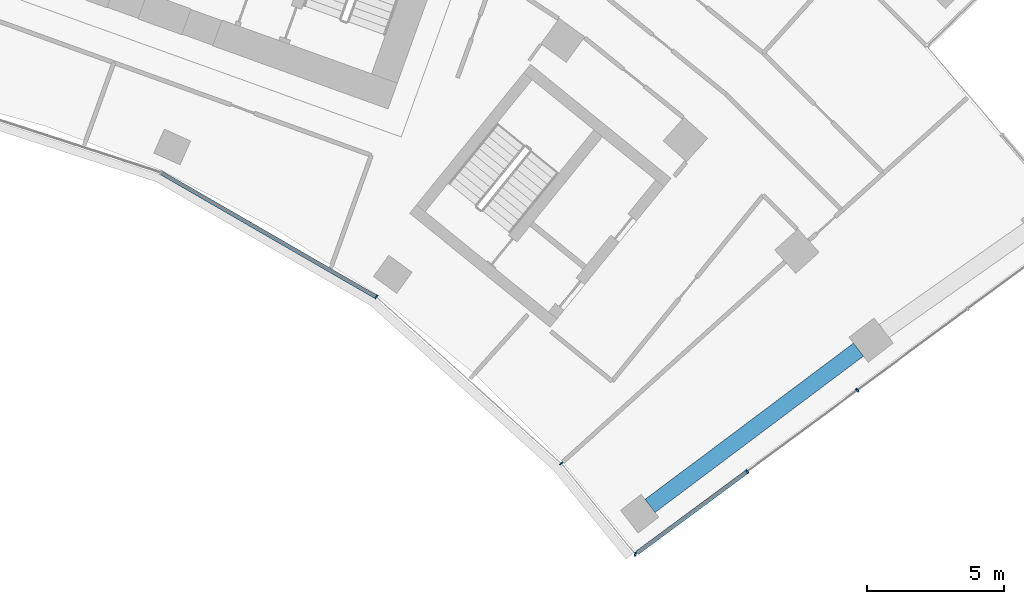
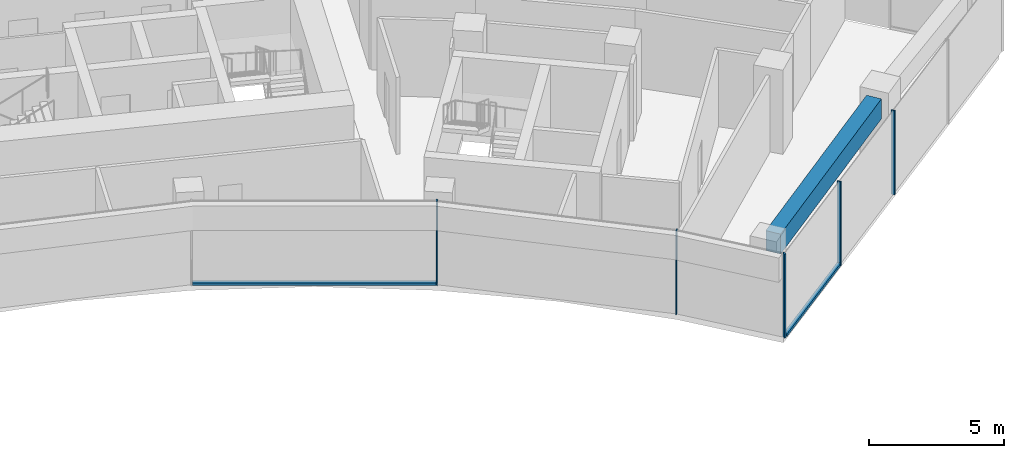
# One storey, part 7 of 18: 7 members, 1 beam, 2 elements without a shape of their own.
"""IFC4 building model written with IfcOpenShell, lengths in metres."""

import ifcopenshell
import ifcopenshell.guid

model = None  # the IFC model being written
_history = None  # IfcOwnerHistory: only IFC2X3 demands one
_inside = {}  # id of a spatial element -> (the spatial element, [elements in it])
_under = {}  # id of a project, library or spatial element -> (it, [spatial elements below it])
_declared = {}  # id of a project -> (the project, [libraries it declares])
_typed = {}  # id of a type object -> (the type object, [elements of that type])
_made_of = {}  # id of a material, layer set ... -> (it, [elements and type objects made of it])


def new_model(schema):
    """Start an empty IFC model of exactly this schema.

    Asked for "IFC4X3", IfcOpenShell would pick the latest addendum, in which some entities
    have other attributes; the version numbers below select the first issue.
    IFC2X3 requires an IfcOwnerHistory on every rooted entity: one is made here for all.
    """
    global model, _history
    if schema == "IFC4X3":
        model = ifcopenshell.file(schema_version=(4, 3, 0, 0))
    else:
        model = ifcopenshell.file(schema=schema)
    _inside.clear()
    _under.clear()
    _declared.clear()
    _typed.clear()
    _made_of.clear()
    _history = None
    if model.schema == "IFC2X3":
        org = make("IfcOrganization", Name="unknown")
        user = make(
            "IfcPersonAndOrganization",
            ThePerson=make("IfcPerson", FamilyName="unknown"),
            TheOrganization=org,
        )
        app = make(
            "IfcApplication",
            ApplicationDeveloper=org,
            Version="unknown",
            ApplicationFullName="unknown",
            ApplicationIdentifier="unknown",
        )
        _history = make(
            "IfcOwnerHistory",
            OwningUser=user,
            OwningApplication=app,
            ChangeAction="ADDED",
            CreationDate=0,
        )
    return model


def make(cls, **values):
    """One entity of the class cls with the attributes given. An attribute that is None is left unset."""
    return model.create_entity(
        cls, **{name: value for name, value in values.items() if value is not None}
    )


def rooted(cls, **values):
    """An entity with a GlobalId (a new one), such as an element, a storey or a relation."""
    return make(cls, GlobalId=ifcopenshell.guid.new(), OwnerHistory=_history, **values)


def si_unit(unit_type, name, prefix=None):
    """IfcSIUnit, for example si_unit("LENGTHUNIT", "METRE", prefix="MILLI")."""
    return make("IfcSIUnit", UnitType=unit_type, Prefix=prefix, Name=name)


def assignment(units):
    """IfcUnitAssignment: the units of a project."""
    return None if units is None else make("IfcUnitAssignment", Units=units)


def point(xyz):
    """IfcCartesianPoint."""
    return None if xyz is None else make("IfcCartesianPoint", Coordinates=xyz)


def direction(xyz):
    """IfcDirection."""
    return None if xyz is None else make("IfcDirection", DirectionRatios=xyz)


def frame(location, z_axis=None, x_axis=None):
    """IfcAxis2Placement3D, a coordinate frame: its origin and axes. An axis left out is left unset."""
    return make(
        "IfcAxis2Placement3D",
        Location=point(location),
        Axis=direction(z_axis),
        RefDirection=direction(x_axis),
    )


def frame_2d(location, x_axis=None):
    """IfcAxis2Placement2D, a coordinate frame in the plane: its origin and x axis."""
    return make(
        "IfcAxis2Placement2D", Location=point(location), RefDirection=direction(x_axis)
    )


def origin():
    """The frame at (0, 0, 0) with its axes left unset."""
    return frame((0.0, 0.0, 0.0))


def origin_2d():
    """The frame at (0, 0) in the plane with its x axis left unset."""
    return frame_2d((0.0, 0.0))


def place(relative_to, where):
    """IfcLocalPlacement: puts the frame where relative to a parent placement (None: the world)."""
    return make(
        "IfcLocalPlacement", PlacementRelTo=relative_to, RelativePlacement=where
    )


def context(
    kind, dimensions, precision=None, world=None, true_north=None, identifier=None
):
    """IfcGeometricRepresentationContext, for example the 3D "Model" context."""
    return make(
        "IfcGeometricRepresentationContext",
        ContextIdentifier=identifier,
        ContextType=kind,
        CoordinateSpaceDimension=dimensions,
        Precision=precision,
        WorldCoordinateSystem=world,
        TrueNorth=true_north,
    )


def subcontext(parent, identifier, kind, view, scale=None):
    """IfcGeometricRepresentationSubContext, for example "Body" below "Model"."""
    return make(
        "IfcGeometricRepresentationSubContext",
        ContextIdentifier=identifier,
        ContextType=kind,
        ParentContext=parent,
        TargetScale=scale,
        TargetView=view,
    )


def project(units=None, contexts=None):
    """IfcProject with its units and contexts."""
    return rooted(
        "IfcProject",
        Name="project",
        RepresentationContexts=contexts,
        UnitsInContext=assignment(units),
    )


def spatial(cls, under=None, at=None, **own):
    """A site, building, storey or space (cls), placed at a placement, below another one or the project."""
    s = rooted(cls, ObjectPlacement=at, **own)
    if under is not None:
        _under.setdefault(under.id(), (under, []))[1].append(s)
    return s


def profile(cls, at=None, kind="AREA", **sizes):
    """A parametric profile (cls). Its sizes go by their IFC names, for example OverallWidth=200.0."""
    return make(cls, ProfileType=kind, Position=at, **sizes)


def rectangle(**sizes):
    """IfcRectangleProfileDef."""
    return profile("IfcRectangleProfileDef", **sizes)


def extrude(swept, where, along, depth):
    """IfcExtrudedAreaSolid: the profile swept, set in the frame where, extruded along a direction by depth."""
    return make(
        "IfcExtrudedAreaSolid",
        SweptArea=swept,
        Position=where,
        ExtrudedDirection=direction(along),
        Depth=depth,
    )


def shape(context_of_items, identifier, shape_type, items):
    """IfcShapeRepresentation: the items that make up one representation, for example the "Body"."""
    return make(
        "IfcShapeRepresentation",
        ContextOfItems=context_of_items,
        RepresentationIdentifier=identifier,
        RepresentationType=shape_type,
        Items=items,
    )


def material(Name=None, Category=None):
    """IfcMaterial."""
    return make("IfcMaterial", Name=Name, Category=Category)


def layer(
    of_material, thickness, ventilated=None, Name=None, Category=None, Priority=None
):
    """IfcMaterialLayer: one layer of a wall or slab, of a material (None: an air gap)."""
    return make(
        "IfcMaterialLayer",
        Material=of_material,
        LayerThickness=thickness,
        IsVentilated=ventilated,
        Name=Name,
        Category=Category,
        Priority=Priority,
    )


def layer_set(layers, Name=None):
    """IfcMaterialLayerSet."""
    return make("IfcMaterialLayerSet", MaterialLayers=layers, LayerSetName=Name)


def material_profile(
    of_material, cross_section, Name=None, Category=None, Priority=None
):
    """IfcMaterialProfile: a cross section and its material."""
    return make(
        "IfcMaterialProfile",
        Name=Name,
        Material=of_material,
        Profile=cross_section,
        Priority=Priority,
        Category=Category,
    )


def profile_set(profiles, Name=None, composite=None):
    """IfcMaterialProfileSet."""
    return make(
        "IfcMaterialProfileSet",
        Name=Name,
        MaterialProfiles=profiles,
        CompositeProfile=composite,
    )


def made_of(thing, what):
    """Note that an element or type object is made of a material, layer set ...; save() writes the relation."""
    if what is not None:
        _made_of.setdefault(what.id(), (what, []))[1].append(thing)
    return thing


def type_object(cls, material=None, **own):
    """A type object (cls), such as IfcWallType, which elements share."""
    return made_of(rooted(cls, **own), material)


def element(
    cls,
    number,
    at=None,
    inside=None,
    cuts=None,
    type_object=None,
    material=None,
    context=None,
    identifier="Body",
    shape_type=None,
    held_by="IfcProductDefinitionShape",
    body=None,
    shapes=None,
    **own,
):
    """One element of the class cls, such as IfcWall. Its Tag is "e" and its number.

    at: its placement. inside: the storey or other place that contains it. cuts: it is an
    opening in that element (IfcRelVoidsElement). A single representation is given by context,
    identifier, shape_type and body (its items); several are given by shapes. held_by: the class
    of the entity that holds the representations. save() writes the other relations.
    """
    e = rooted(cls, Tag="e%d" % number, ObjectPlacement=at, **own)
    if body is not None:
        shapes = [shape(context, identifier, shape_type, body)]
    if shapes is not None:
        e.Representation = make(held_by, Representations=shapes)
    if inside is not None:
        _inside.setdefault(inside.id(), (inside, []))[1].append(e)
    if cuts is not None:
        rooted(
            "IfcRelVoidsElement", RelatingBuildingElement=cuts, RelatedOpeningElement=e
        )
    if type_object is not None:
        _typed.setdefault(type_object.id(), (type_object, []))[1].append(e)
    return made_of(e, material)


def aggregate(whole, parts):
    """IfcRelAggregates: a whole, such as a stair, and the parts it consists of."""
    return rooted("IfcRelAggregates", RelatingObject=whole, RelatedObjects=parts)


def save(model, path):
    """Write the relations noted so far, then the file.

    IfcRelAggregates (storeys below a building ...), IfcRelContainedInSpatialStructure (elements
    in a storey), IfcRelDefinesByType, IfcRelAssociatesMaterial and IfcRelDeclares: one each for
    every whole, place, type object, material and project.
    """
    for whole, parts in _under.values():
        aggregate(whole, parts)
    for where, things in _inside.values():
        rooted(
            "IfcRelContainedInSpatialStructure",
            RelatedElements=things,
            RelatingStructure=where,
        )
    for kind, things in _typed.values():
        rooted("IfcRelDefinesByType", RelatedObjects=things, RelatingType=kind)
    for what, things in _made_of.values():
        rooted("IfcRelAssociatesMaterial", RelatedObjects=things, RelatingMaterial=what)
    for by, libraries in _declared.values():
        rooted("IfcRelDeclares", RelatingContext=by, RelatedDefinitions=libraries)
    model.write(path)


model = new_model("IFC4")

# Units and contexts
model_context = context("Model", 3, precision=1e-05, world=origin(), true_north=direction((0.0, 1.0)))
body_context = subcontext(model_context, "Body", "Model", "MODEL_VIEW")
ifc_project = project(units=[si_unit("LENGTHUNIT", "METRE"), si_unit("AREAUNIT", "SQUARE_METRE"), si_unit("VOLUMEUNIT", "CUBIC_METRE"), si_unit("PLANEANGLEUNIT", "RADIAN"), si_unit("MASSUNIT", "GRAM", prefix="KILO")], contexts=[model_context])

# Site, building, storey
site_placement = place(None, origin())
site = spatial("IfcSite", under=ifc_project, at=site_placement, CompositionType="ELEMENT")
building_placement = place(site_placement, origin())
building = spatial("IfcBuilding", under=site, at=building_placement, Name="Stone Belt Terrace Tower", CompositionType="ELEMENT")
storey_placement = place(building_placement, frame((0.0, 0.0, 220.0)))
storey = spatial("IfcBuildingStorey", under=building, at=storey_placement, Name="L53", CompositionType="ELEMENT", Elevation=220.0)

# Curtain wall, members
ifc_material_1 = material(Name="Aluminium 6063-T6 anodised frame", Category="aluminium")
ifc_layer_1 = layer(ifc_material_1, 0.14990234375)
ifc_layer_set_1 = layer_set([ifc_layer_1], Name="CW-B unitised concave-face curtain wall")
curtain_wall_type_1 = type_object("IfcCurtainWallType", Name="CW-B unitised concave-face curtain wall", PredefinedType="NOTDEFINED", material=ifc_layer_set_1)
curtain_wall_1_placement = place(storey_placement, origin())
curtain_wall_1 = element("IfcCurtainWall", 1, at=curtain_wall_1_placement, inside=storey, type_object=curtain_wall_type_1, Name="CW-B concave face L53", PredefinedType="NOTDEFINED")
ifc_material_profile_1 = material_profile(ifc_material_1, rectangle(XDim=0.14990234375, YDim=0.050048828125, at=origin_2d()), Name="Aluminium 6063-T6 50x150")
ifc_profile_set_1 = profile_set([ifc_material_profile_1], Name="Aluminium 6063-T6 anodised frame")
member_type_1 = type_object("IfcMemberType", Name="CW-B mullion 50 x 150", PredefinedType="MULLION", material=ifc_profile_set_1)
member_1_placement = place(storey_placement, frame((25.5244140625, 35.13134765625, 0.0), z_axis=(0.0, 0.0, 1.0), x_axis=(0.587785252292, 0.809016994375, 0.0)))
member_1 = element("IfcMember", 2, at=member_1_placement, type_object=member_type_1, Name="CW-B mullion 8", PredefinedType="MULLION", context=body_context, shape_type="SweptSolid", body=[
    extrude(rectangle(XDim=0.14990234375, YDim=0.050048828125, at=origin_2d()), origin(), (0.0, 0.0, 1.0), 3.800048828125),
])
member_2_placement = place(storey_placement, frame((32.2724609375, 29.05517578125, 0.0), z_axis=(0.0, 0.0, 1.0), x_axis=(0.724007879695, 0.689791700544, 0.0)))
member_2 = element("IfcMember", 3, at=member_2_placement, type_object=member_type_1, Name="CW-B mullion 9", PredefinedType="MULLION", context=body_context, shape_type="SweptSolid", body=[
    extrude(rectangle(XDim=0.14990234375, YDim=0.050048828125, at=origin_2d()), origin(), (0.0, 0.0, 1.0), 3.800048828125),
])
ifc_material_profile_2 = material_profile(ifc_material_1, rectangle(XDim=0.14990234375, YDim=0.1201171875, at=origin_2d()), Name="Aluminium 6063-T6 150x120")
ifc_profile_set_2 = profile_set([ifc_material_profile_2], Name="Aluminium 6063-T6 anodised frame")
member_type_2 = type_object("IfcMemberType", Name="CW-B transom 120 x 150", PredefinedType="USERDEFINED", material=ifc_profile_set_2)
member_3_placement = place(storey_placement, frame((17.690673828125, 39.654052734375, 0.06005859375), z_axis=(0.866019133895, -0.500010859609, 0.0), x_axis=(0.500010859609, 0.866019133895, 0.0)))
member_3 = element("IfcMember", 4, at=member_3_placement, type_object=member_type_2, Name="CW-B transom 7.1", ObjectType="TRANSOM", PredefinedType="USERDEFINED", context=body_context, shape_type="SweptSolid", body=[
    extrude(rectangle(XDim=0.14990234375, YDim=0.1201171875, at=origin_2d()), origin(), (0.0, 0.0, 1.0), 9.012939453125),
])
aggregate(curtain_wall_1, [member_1, member_2, member_3])

ifc_layer_2 = layer(ifc_material_1, 0.14990234375)
ifc_layer_set_2 = layer_set([ifc_layer_2], Name="CW-C stick curtain wall, horn ends and notches")
curtain_wall_type_2 = type_object("IfcCurtainWallType", Name="CW-C stick curtain wall, horn ends and notches", PredefinedType="NOTDEFINED", material=ifc_layer_set_2)
curtain_wall_2_placement = place(storey_placement, origin())
curtain_wall_2 = element("IfcCurtainWall", 5, at=curtain_wall_2_placement, inside=storey, type_object=curtain_wall_type_2, Name="CW-C end face L53", PredefinedType="NOTDEFINED")
ifc_material_profile_3 = material_profile(ifc_material_1, rectangle(XDim=0.14990234375, YDim=0.06005859375, at=origin_2d()), Name="Aluminium 6063-T6 60x150")
ifc_profile_set_3 = profile_set([ifc_material_profile_3], Name="Aluminium 6063-T6 anodised frame")
member_type_3 = type_object("IfcMemberType", Name="CW-C mullion 60 x 150", PredefinedType="MULLION", material=ifc_profile_set_3)
member_4_placement = place(storey_placement, frame((34.975341796875, 25.744140625, 0.0), z_axis=(0.0, 0.0, 1.0), x_axis=(0.124625557677, 0.992203845172, 0.0)))
member_4 = element("IfcMember", 6, at=member_4_placement, type_object=member_type_3, Name="CW-C mullion 1", PredefinedType="MULLION", context=body_context, shape_type="SweptSolid", body=[
    extrude(rectangle(XDim=0.14990234375, YDim=0.06005859375, at=origin_2d()), origin(), (0.0, 0.0, 1.0), 3.800048828125),
])
member_5_placement = place(storey_placement, frame((39.054443359375, 28.757568359375, 0.0), z_axis=(0.0, 0.0, 1.0), x_axis=(-0.594184091865, 0.804329077539, 0.0)))
member_5 = element("IfcMember", 7, at=member_5_placement, type_object=member_type_3, Name="CW-C mullion 2", PredefinedType="MULLION", context=body_context, shape_type="SweptSolid", body=[
    extrude(rectangle(XDim=0.14990234375, YDim=0.06005859375, at=origin_2d()), origin(), (0.0, 0.0, 1.0), 3.800048828125),
])
member_6_placement = place(storey_placement, frame((43.076171875, 31.728515625, 0.0), z_axis=(0.0, 0.0, 1.0), x_axis=(-0.594184091865, 0.804329077539, 0.0)))
member_6 = element("IfcMember", 8, at=member_6_placement, type_object=member_type_3, Name="CW-C mullion 3", PredefinedType="MULLION", context=body_context, shape_type="SweptSolid", body=[
    extrude(rectangle(XDim=0.14990234375, YDim=0.06005859375, at=origin_2d()), origin(), (0.0, 0.0, 1.0), 3.800048828125),
])
ifc_material_profile_4 = material_profile(ifc_material_1, rectangle(XDim=0.14990234375, YDim=0.1201171875, at=origin_2d()), Name="Aluminium 6063-T6 150x120")
ifc_profile_set_4 = profile_set([ifc_material_profile_4], Name="Aluminium 6063-T6 anodised frame")
member_type_4 = type_object("IfcMemberType", Name="CW-C transom 120 x 150", PredefinedType="USERDEFINED", material=ifc_profile_set_4)
member_7_placement = place(storey_placement, frame((35.034423828125, 25.787841796875, 0.06005859375), z_axis=(0.804325227642, 0.594189303319, 0.0), x_axis=(-0.594189303319, 0.804325227642, 0.0)))
member_7 = element("IfcMember", 9, at=member_7_placement, type_object=member_type_4, Name="CW-C transom 1.1", ObjectType="TRANSOM", PredefinedType="USERDEFINED", context=body_context, shape_type="SweptSolid", body=[
    extrude(rectangle(XDim=0.14990234375, YDim=0.1201171875, at=origin_2d()), origin(), (0.0, 0.0, 1.0), 4.968017578125),
])
aggregate(curtain_wall_2, [member_4, member_5, member_6, member_7])

# Beam
ifc_material_2 = material(Name="Concrete B60", Category="concrete")
ifc_material_profile_5 = material_profile(ifc_material_2, rectangle(XDim=0.60009765625, YDim=0.89990234375, at=origin_2d()), Name="RC 600x900")
ifc_profile_set_5 = profile_set([ifc_material_profile_5], Name="Concrete B60")
beam_type = type_object("IfcBeamType", Name="Edge beam RC 600x900 B60", PredefinedType="SPANDREL", material=ifc_profile_set_5)
beam_placement = place(storey_placement, frame((35.51318359375, 27.5068359375, 3.030029296875), z_axis=(0.800073960697, 0.599901373073, 0.0), x_axis=(-0.599901373073, 0.800073960697, 0.0)))
element("IfcBeam", 10, at=beam_placement, inside=storey, type_object=beam_type, Name="Edge beam L53 B P to Q", PredefinedType="SPANDREL", context=body_context, shape_type="SweptSolid", body=[
    extrude(rectangle(XDim=0.60009765625, YDim=0.89990234375, at=origin_2d()), origin(), (0.0, 0.0, 1.0), 9.505859375),
])

save(model, "model.ifc")
